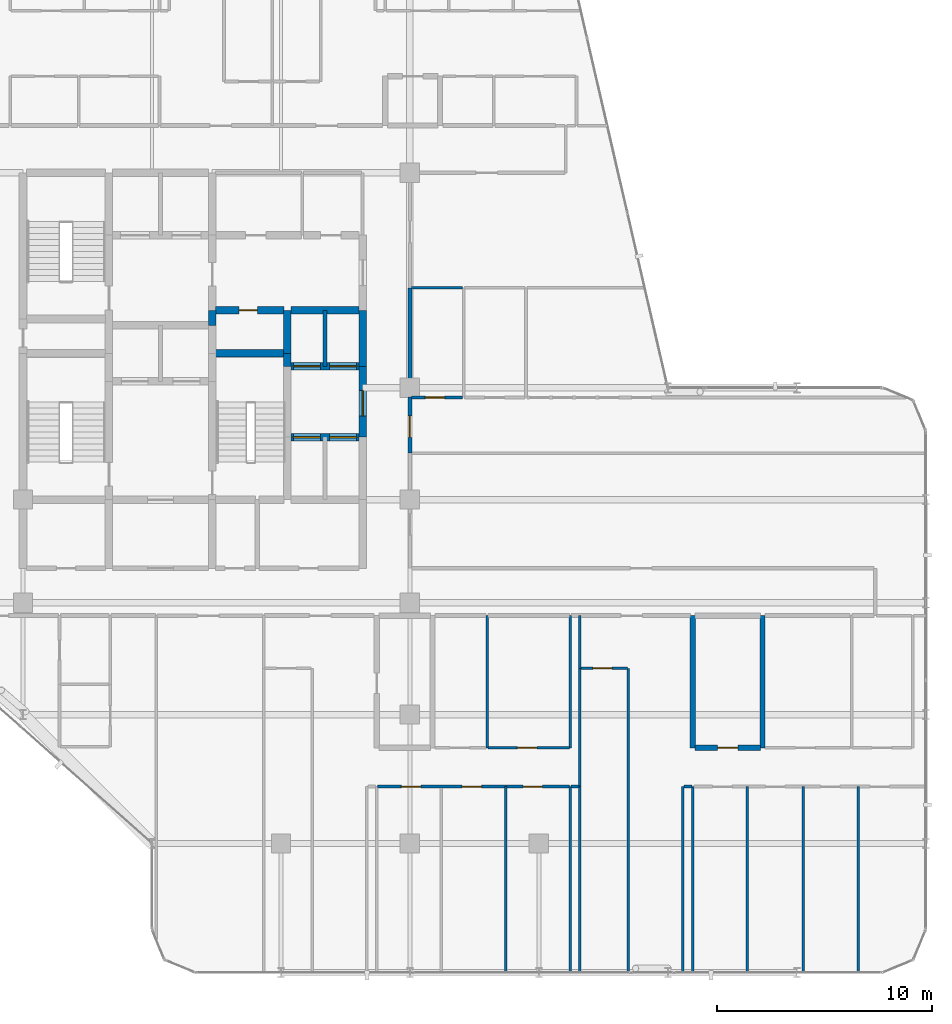
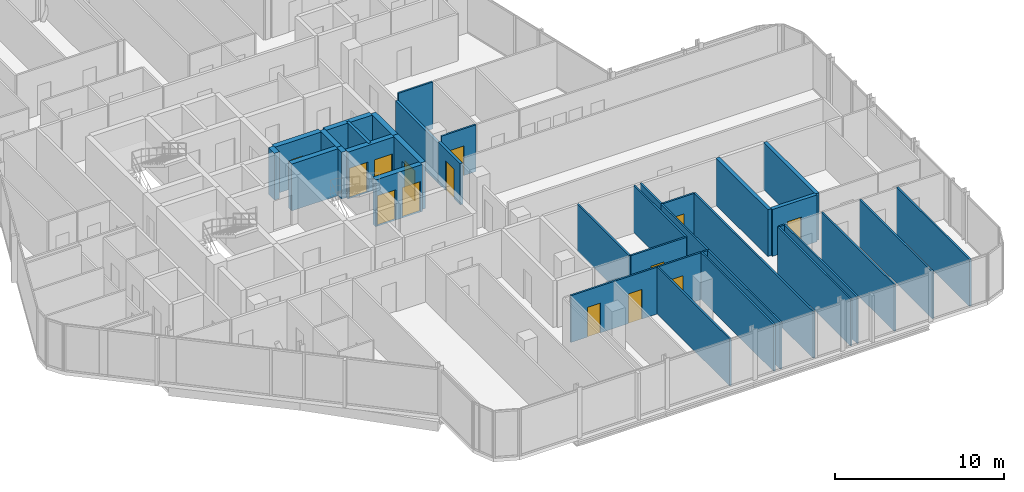
# One storey, part 25 of 29: 36 walls, 14 doors, 14 openings.
"""IFC4 building model written with IfcOpenShell, lengths in metres."""

import ifcopenshell
import ifcopenshell.guid

model = None  # the IFC model being written
_history = None  # IfcOwnerHistory: only IFC2X3 demands one
_inside = {}  # id of a spatial element -> (the spatial element, [elements in it])
_under = {}  # id of a project, library or spatial element -> (it, [spatial elements below it])
_declared = {}  # id of a project -> (the project, [libraries it declares])
_typed = {}  # id of a type object -> (the type object, [elements of that type])
_made_of = {}  # id of a material, layer set ... -> (it, [elements and type objects made of it])


def new_model(schema):
    """Start an empty IFC model of exactly this schema.

    Asked for "IFC4X3", IfcOpenShell would pick the latest addendum, in which some entities
    have other attributes; the version numbers below select the first issue.
    IFC2X3 requires an IfcOwnerHistory on every rooted entity: one is made here for all.
    """
    global model, _history
    if schema == "IFC4X3":
        model = ifcopenshell.file(schema_version=(4, 3, 0, 0))
    else:
        model = ifcopenshell.file(schema=schema)
    _inside.clear()
    _under.clear()
    _declared.clear()
    _typed.clear()
    _made_of.clear()
    _history = None
    if model.schema == "IFC2X3":
        org = make("IfcOrganization", Name="unknown")
        user = make(
            "IfcPersonAndOrganization",
            ThePerson=make("IfcPerson", FamilyName="unknown"),
            TheOrganization=org,
        )
        app = make(
            "IfcApplication",
            ApplicationDeveloper=org,
            Version="unknown",
            ApplicationFullName="unknown",
            ApplicationIdentifier="unknown",
        )
        _history = make(
            "IfcOwnerHistory",
            OwningUser=user,
            OwningApplication=app,
            ChangeAction="ADDED",
            CreationDate=0,
        )
    return model


def make(cls, **values):
    """One entity of the class cls with the attributes given. An attribute that is None is left unset."""
    return model.create_entity(
        cls, **{name: value for name, value in values.items() if value is not None}
    )


def rooted(cls, **values):
    """An entity with a GlobalId (a new one), such as an element, a storey or a relation."""
    return make(cls, GlobalId=ifcopenshell.guid.new(), OwnerHistory=_history, **values)


def si_unit(unit_type, name, prefix=None):
    """IfcSIUnit, for example si_unit("LENGTHUNIT", "METRE", prefix="MILLI")."""
    return make("IfcSIUnit", UnitType=unit_type, Prefix=prefix, Name=name)


def assignment(units):
    """IfcUnitAssignment: the units of a project."""
    return None if units is None else make("IfcUnitAssignment", Units=units)


def point(xyz):
    """IfcCartesianPoint."""
    return None if xyz is None else make("IfcCartesianPoint", Coordinates=xyz)


def direction(xyz):
    """IfcDirection."""
    return None if xyz is None else make("IfcDirection", DirectionRatios=xyz)


def frame(location, z_axis=None, x_axis=None):
    """IfcAxis2Placement3D, a coordinate frame: its origin and axes. An axis left out is left unset."""
    return make(
        "IfcAxis2Placement3D",
        Location=point(location),
        Axis=direction(z_axis),
        RefDirection=direction(x_axis),
    )


def frame_2d(location, x_axis=None):
    """IfcAxis2Placement2D, a coordinate frame in the plane: its origin and x axis."""
    return make(
        "IfcAxis2Placement2D", Location=point(location), RefDirection=direction(x_axis)
    )


def origin():
    """The frame at (0, 0, 0) with its axes left unset."""
    return frame((0.0, 0.0, 0.0))


def place(relative_to, where):
    """IfcLocalPlacement: puts the frame where relative to a parent placement (None: the world)."""
    return make(
        "IfcLocalPlacement", PlacementRelTo=relative_to, RelativePlacement=where
    )


def context(
    kind, dimensions, precision=None, world=None, true_north=None, identifier=None
):
    """IfcGeometricRepresentationContext, for example the 3D "Model" context."""
    return make(
        "IfcGeometricRepresentationContext",
        ContextIdentifier=identifier,
        ContextType=kind,
        CoordinateSpaceDimension=dimensions,
        Precision=precision,
        WorldCoordinateSystem=world,
        TrueNorth=true_north,
    )


def subcontext(parent, identifier, kind, view, scale=None):
    """IfcGeometricRepresentationSubContext, for example "Body" below "Model"."""
    return make(
        "IfcGeometricRepresentationSubContext",
        ContextIdentifier=identifier,
        ContextType=kind,
        ParentContext=parent,
        TargetScale=scale,
        TargetView=view,
    )


def project(units=None, contexts=None):
    """IfcProject with its units and contexts."""
    return rooted(
        "IfcProject",
        Name="project",
        RepresentationContexts=contexts,
        UnitsInContext=assignment(units),
    )


def spatial(cls, under=None, at=None, **own):
    """A site, building, storey or space (cls), placed at a placement, below another one or the project."""
    s = rooted(cls, ObjectPlacement=at, **own)
    if under is not None:
        _under.setdefault(under.id(), (under, []))[1].append(s)
    return s


def profile(cls, at=None, kind="AREA", **sizes):
    """A parametric profile (cls). Its sizes go by their IFC names, for example OverallWidth=200.0."""
    return make(cls, ProfileType=kind, Position=at, **sizes)


def rectangle(**sizes):
    """IfcRectangleProfileDef."""
    return profile("IfcRectangleProfileDef", **sizes)


def extrude(swept, where, along, depth):
    """IfcExtrudedAreaSolid: the profile swept, set in the frame where, extruded along a direction by depth."""
    return make(
        "IfcExtrudedAreaSolid",
        SweptArea=swept,
        Position=where,
        ExtrudedDirection=direction(along),
        Depth=depth,
    )


def shape(context_of_items, identifier, shape_type, items):
    """IfcShapeRepresentation: the items that make up one representation, for example the "Body"."""
    return make(
        "IfcShapeRepresentation",
        ContextOfItems=context_of_items,
        RepresentationIdentifier=identifier,
        RepresentationType=shape_type,
        Items=items,
    )


def material(Name=None, Category=None):
    """IfcMaterial."""
    return make("IfcMaterial", Name=Name, Category=Category)


def layer(
    of_material, thickness, ventilated=None, Name=None, Category=None, Priority=None
):
    """IfcMaterialLayer: one layer of a wall or slab, of a material (None: an air gap)."""
    return make(
        "IfcMaterialLayer",
        Material=of_material,
        LayerThickness=thickness,
        IsVentilated=ventilated,
        Name=Name,
        Category=Category,
        Priority=Priority,
    )


def layer_set(layers, Name=None):
    """IfcMaterialLayerSet."""
    return make("IfcMaterialLayerSet", MaterialLayers=layers, LayerSetName=Name)


def made_of(thing, what):
    """Note that an element or type object is made of a material, layer set ...; save() writes the relation."""
    if what is not None:
        _made_of.setdefault(what.id(), (what, []))[1].append(thing)
    return thing


def type_object(cls, material=None, **own):
    """A type object (cls), such as IfcWallType, which elements share."""
    return made_of(rooted(cls, **own), material)


def element(
    cls,
    number,
    at=None,
    inside=None,
    cuts=None,
    type_object=None,
    material=None,
    context=None,
    identifier="Body",
    shape_type=None,
    held_by="IfcProductDefinitionShape",
    body=None,
    shapes=None,
    **own,
):
    """One element of the class cls, such as IfcWall. Its Tag is "e" and its number.

    at: its placement. inside: the storey or other place that contains it. cuts: it is an
    opening in that element (IfcRelVoidsElement). A single representation is given by context,
    identifier, shape_type and body (its items); several are given by shapes. held_by: the class
    of the entity that holds the representations. save() writes the other relations.
    """
    e = rooted(cls, Tag="e%d" % number, ObjectPlacement=at, **own)
    if body is not None:
        shapes = [shape(context, identifier, shape_type, body)]
    if shapes is not None:
        e.Representation = make(held_by, Representations=shapes)
    if inside is not None:
        _inside.setdefault(inside.id(), (inside, []))[1].append(e)
    if cuts is not None:
        rooted(
            "IfcRelVoidsElement", RelatingBuildingElement=cuts, RelatedOpeningElement=e
        )
    if type_object is not None:
        _typed.setdefault(type_object.id(), (type_object, []))[1].append(e)
    return made_of(e, material)


def fill(opening, filler):
    """IfcRelFillsElement: the door or window that sits in an opening."""
    return rooted(
        "IfcRelFillsElement",
        RelatingOpeningElement=opening,
        RelatedBuildingElement=filler,
    )


def aggregate(whole, parts):
    """IfcRelAggregates: a whole, such as a stair, and the parts it consists of."""
    return rooted("IfcRelAggregates", RelatingObject=whole, RelatedObjects=parts)


def save(model, path):
    """Write the relations noted so far, then the file.

    IfcRelAggregates (storeys below a building ...), IfcRelContainedInSpatialStructure (elements
    in a storey), IfcRelDefinesByType, IfcRelAssociatesMaterial and IfcRelDeclares: one each for
    every whole, place, type object, material and project.
    """
    for whole, parts in _under.values():
        aggregate(whole, parts)
    for where, things in _inside.values():
        rooted(
            "IfcRelContainedInSpatialStructure",
            RelatedElements=things,
            RelatingStructure=where,
        )
    for kind, things in _typed.values():
        rooted("IfcRelDefinesByType", RelatedObjects=things, RelatingType=kind)
    for what, things in _made_of.values():
        rooted("IfcRelAssociatesMaterial", RelatedObjects=things, RelatingMaterial=what)
    for by, libraries in _declared.values():
        rooted("IfcRelDeclares", RelatingContext=by, RelatedDefinitions=libraries)
    model.write(path)


model = new_model("IFC4")

# Units and contexts
model_context = context("Model", 3, precision=1e-05, world=origin(), true_north=direction((0.0, 1.0)))
body_context = subcontext(model_context, "Body", "Model", "MODEL_VIEW")
ifc_project = project(units=[si_unit("LENGTHUNIT", "METRE"), si_unit("AREAUNIT", "SQUARE_METRE"), si_unit("VOLUMEUNIT", "CUBIC_METRE"), si_unit("PLANEANGLEUNIT", "RADIAN"), si_unit("MASSUNIT", "GRAM", prefix="KILO")], contexts=[model_context])

# Site, building, storey
site_placement = place(None, origin())
site = spatial("IfcSite", under=ifc_project, at=site_placement, CompositionType="ELEMENT")
building_placement = place(site_placement, origin())
building = spatial("IfcBuilding", under=site, at=building_placement, Name="Keshet Zoharim Tower", CompositionType="ELEMENT")
storey_placement = place(building_placement, frame((0.0, 0.0, 188.39990234375)))
storey = spatial("IfcBuildingStorey", under=building, at=storey_placement, Name="L46", CompositionType="ELEMENT", Elevation=188.39990234375)

# Walls
ifc_material_1 = material(Name="Concrete C60/75", Category="concrete")
ifc_layer_1 = layer(ifc_material_1, 0.35009765625)
ifc_layer_set_1 = layer_set([ifc_layer_1], Name="Concrete C60/75")
wall_type_1 = type_object("IfcWallType", Name="WL-CORE-350", PredefinedType="SHEAR", material=ifc_layer_set_1)
wall_1_placement = place(storey_placement, frame((23.800048828125, 30.800048828125, 0.0), z_axis=(0.0, 0.0, 1.0), x_axis=(0.0, 1.0, 0.0)))
element("IfcWall", 1, at=wall_1_placement, inside=storey, type_object=wall_type_1, Name="L46 Core Shear Wall 041", PredefinedType="SHEAR", context=body_context, shape_type="SweptSolid", body=[
    extrude(rectangle(XDim=0.699951171875, YDim=0.35009765625, at=frame_2d((0.35009765625, 0.0))), origin(), (0.0, 0.0, 1.0), 3.39013671875),
])
wall_2_placement = place(storey_placement, frame((27.300048828125, 28.89990234375, 0.0), z_axis=(0.0, 0.0, 1.0), x_axis=(0.0, 1.0, 0.0)))
element("IfcWall", 2, at=wall_2_placement, inside=storey, type_object=wall_type_1, Name="L46 Core Shear Wall 052", PredefinedType="SHEAR", context=body_context, shape_type="SweptSolid", body=[
    extrude(rectangle(XDim=0.60009765625, YDim=0.35009765625, at=frame_2d((0.300048828125, 0.0))), origin(), (0.0, 0.0, 1.0), 3.39013671875),
])
wall_3_placement = place(storey_placement, frame((27.300048828125, 29.5, 0.0), z_axis=(0.0, 0.0, 1.0), x_axis=(0.0, 1.0, 0.0)))
element("IfcWall", 3, at=wall_3_placement, inside=storey, type_object=wall_type_1, Name="L46 Core Shear Wall 053", PredefinedType="SHEAR", context=body_context, shape_type="SweptSolid", body=[
    extrude(rectangle(XDim=2.0, YDim=0.35009765625, at=frame_2d((1.0, 0.0))), origin(), (0.0, 0.0, 1.0), 3.39013671875),
])

# Wall, opening, door
wall_4_placement = place(storey_placement, frame((30.800048828125, 25.60009765625, 0.0), z_axis=(0.0, 0.0, 1.0), x_axis=(0.0, 1.0, 0.0)))
wall_4 = element("IfcWall", 4, at=wall_4_placement, inside=storey, type_object=wall_type_1, Name="L46 Core Shear Wall 061", PredefinedType="SHEAR", context=body_context, shape_type="SweptSolid", body=[
    extrude(rectangle(XDim=3.2998046875, YDim=0.35009765625, at=frame_2d((1.64990234375, 0.0))), origin(), (0.0, 0.0, 1.0), 3.39013671875),
])
opening_1_placement = place(wall_4_placement, frame((0.97802734375, 0.0, 0.0)))
opening_1 = element("IfcOpeningElement", 5, at=opening_1_placement, cuts=wall_4, Name="Opening D-F612", PredefinedType="OPENING", context=body_context, shape_type="SweptSolid", body=[
    extrude(rectangle(XDim=1.199951171875, YDim=2.199951171875, at=frame_2d((0.60009765625, 1.10009765625))), frame((0.0, 0.18505859375, 0.0), z_axis=(0.0, -1.0, 0.0), x_axis=(1.0, 0.0, 0.0)), (0.0, 0.0, 1.0), 0.3701171875),
])
ifc_material_2 = material(Name="Hardwood Timber", Category="wood")
door_type_1 = type_object("IfcDoorType", Name="DR-FD60-120", OperationType="NOTDEFINED", PredefinedType="DOOR", material=ifc_material_2)
door_1_placement = place(opening_1_placement, origin())
door_1 = element("IfcDoor", 6, at=door_1_placement, inside=storey, type_object=door_type_1, Name="L46 East Lift Lobby Fire Door", OperationType="SINGLE_SWING_RIGHT", OverallHeight=2.199951171875, OverallWidth=1.199951171875, PredefinedType="DOOR", context=body_context, shape_type="SweptSolid", body=[
    extrude(rectangle(XDim=1.199951171875, YDim=2.199951171875, at=frame_2d((0.60009765625, 1.10009765625))), frame((0.0, 0.02490234375, 0.0), z_axis=(0.0, -1.0, 0.0), x_axis=(1.0, 0.0, 0.0)), (0.0, 0.0, 1.0), 0.050048828125),
])
fill(opening_1, door_1)

# Wall
wall_5_placement = place(storey_placement, frame((30.800048828125, 28.89990234375, 0.0), z_axis=(0.0, 0.0, 1.0), x_axis=(0.0, 1.0, 0.0)))
element("IfcWall", 7, at=wall_5_placement, inside=storey, type_object=wall_type_1, Name="L46 Core Shear Wall 062", PredefinedType="SHEAR", context=body_context, shape_type="SweptSolid", body=[
    extrude(rectangle(XDim=2.60009765625, YDim=0.35009765625, at=frame_2d((1.300048828125, 0.0))), origin(), (0.0, 0.0, 1.0), 3.39013671875),
])

# Wall, openings, doors
wall_6_placement = place(storey_placement, frame((27.4599609375, 25.60009765625, 0.0), z_axis=(0.0, 0.0, 1.0), x_axis=(1.0, 0.0, 0.0)))
wall_6 = element("IfcWall", 8, at=wall_6_placement, inside=storey, type_object=wall_type_1, Name="L46 Core Shear Wall 149", PredefinedType="SHEAR", context=body_context, shape_type="SweptSolid", body=[
    extrude(rectangle(XDim=3.179931640625, YDim=0.35009765625, at=frame_2d((1.58984375, 0.0))), origin(), (0.0, 0.0, 1.0), 3.39013671875),
])
opening_2_placement = place(wall_6_placement, frame((0.1201171875, 0.0, 0.0)))
opening_2 = element("IfcOpeningElement", 9, at=opening_2_placement, cuts=wall_6, Name="Opening LD-01", PredefinedType="OPENING", context=body_context, shape_type="SweptSolid", body=[
    extrude(rectangle(XDim=1.25, YDim=2.199951171875, at=frame_2d((0.625, 1.10009765625))), frame((0.0, 0.18505859375, 0.0), z_axis=(0.0, -1.0, 0.0), x_axis=(1.0, 0.0, 0.0)), (0.0, 0.0, 1.0), 0.3701171875),
])
opening_3_placement = place(wall_6_placement, frame((1.81005859375, 0.0, 0.0)))
opening_3 = element("IfcOpeningElement", 10, at=opening_3_placement, cuts=wall_6, Name="Opening LD-01", PredefinedType="OPENING", context=body_context, shape_type="SweptSolid", body=[
    extrude(rectangle(XDim=1.25, YDim=2.199951171875, at=frame_2d((0.625, 1.10009765625))), frame((0.0, 0.18505859375, 0.0), z_axis=(0.0, -1.0, 0.0), x_axis=(1.0, 0.0, 0.0)), (0.0, 0.0, 1.0), 0.3701171875),
])
ifc_material_3 = material(Name="Steel S355", Category="steel")
door_type_2 = type_object("IfcDoorType", Name="DR-LD01-125", OperationType="DOUBLE_DOOR_SLIDING", PredefinedType="DOOR", material=ifc_material_3)
door_2_placement = place(opening_2_placement, origin())
door_2 = element("IfcDoor", 11, at=door_2_placement, inside=storey, type_object=door_type_2, Name="L46 Passenger Lift Landing Door LF-07", OperationType="DOUBLE_DOOR_SLIDING", OverallHeight=2.199951171875, OverallWidth=1.25, PredefinedType="DOOR", context=body_context, shape_type="SweptSolid", body=[
    extrude(rectangle(XDim=1.25, YDim=2.199951171875, at=frame_2d((0.625, 1.10009765625))), frame((0.0, 0.02490234375, 0.0), z_axis=(0.0, -1.0, 0.0), x_axis=(1.0, 0.0, 0.0)), (0.0, 0.0, 1.0), 0.050048828125),
])
fill(opening_2, door_2)
door_3_placement = place(opening_3_placement, origin())
door_3 = element("IfcDoor", 12, at=door_3_placement, inside=storey, type_object=door_type_2, Name="L46 Passenger Lift Landing Door LF-08", OperationType="DOUBLE_DOOR_SLIDING", OverallHeight=2.199951171875, OverallWidth=1.25, PredefinedType="DOOR", context=body_context, shape_type="SweptSolid", body=[
    extrude(rectangle(XDim=1.25, YDim=2.199951171875, at=frame_2d((0.625, 1.10009765625))), frame((0.0, 0.02490234375, 0.0), z_axis=(0.0, -1.0, 0.0), x_axis=(1.0, 0.0, 0.0)), (0.0, 0.0, 1.0), 0.050048828125),
])
fill(opening_3, door_3)

wall_7_placement = place(storey_placement, frame((27.4599609375, 28.89990234375, 0.0), z_axis=(0.0, 0.0, 1.0), x_axis=(1.0, 0.0, 0.0)))
wall_7 = element("IfcWall", 13, at=wall_7_placement, inside=storey, type_object=wall_type_1, Name="L46 Core Shear Wall 160", PredefinedType="SHEAR", context=body_context, shape_type="SweptSolid", body=[
    extrude(rectangle(XDim=3.179931640625, YDim=0.35009765625, at=frame_2d((1.58984375, 0.0))), origin(), (0.0, 0.0, 1.0), 3.39013671875),
])
opening_4_placement = place(wall_7_placement, frame((0.1201171875, 0.0, 0.0)))
opening_4 = element("IfcOpeningElement", 14, at=opening_4_placement, cuts=wall_7, Name="Opening LD-01", PredefinedType="OPENING", context=body_context, shape_type="SweptSolid", body=[
    extrude(rectangle(XDim=1.25, YDim=2.199951171875, at=frame_2d((0.625, 1.10009765625))), frame((0.0, 0.18505859375, 0.0), z_axis=(0.0, -1.0, 0.0), x_axis=(1.0, 0.0, 0.0)), (0.0, 0.0, 1.0), 0.3701171875),
])
opening_5_placement = place(wall_7_placement, frame((1.81005859375, 0.0, 0.0)))
opening_5 = element("IfcOpeningElement", 15, at=opening_5_placement, cuts=wall_7, Name="Opening LD-01", PredefinedType="OPENING", context=body_context, shape_type="SweptSolid", body=[
    extrude(rectangle(XDim=1.25, YDim=2.199951171875, at=frame_2d((0.625, 1.10009765625))), frame((0.0, 0.18505859375, 0.0), z_axis=(0.0, -1.0, 0.0), x_axis=(1.0, 0.0, 0.0)), (0.0, 0.0, 1.0), 0.3701171875),
])
door_4_placement = place(opening_4_placement, origin())
door_4 = element("IfcDoor", 16, at=door_4_placement, inside=storey, type_object=door_type_2, Name="L46 Passenger Lift Landing Door LF-05", OperationType="DOUBLE_DOOR_SLIDING", OverallHeight=2.199951171875, OverallWidth=1.25, PredefinedType="DOOR", context=body_context, shape_type="SweptSolid", body=[
    extrude(rectangle(XDim=1.25, YDim=2.199951171875, at=frame_2d((0.625, 1.10009765625))), frame((0.0, 0.02490234375, 0.0), z_axis=(0.0, -1.0, 0.0), x_axis=(1.0, 0.0, 0.0)), (0.0, 0.0, 1.0), 0.050048828125),
])
fill(opening_4, door_4)
door_5_placement = place(opening_5_placement, origin())
door_5 = element("IfcDoor", 17, at=door_5_placement, inside=storey, type_object=door_type_2, Name="L46 Passenger Lift Landing Door LF-06", OperationType="DOUBLE_DOOR_SLIDING", OverallHeight=2.199951171875, OverallWidth=1.25, PredefinedType="DOOR", context=body_context, shape_type="SweptSolid", body=[
    extrude(rectangle(XDim=1.25, YDim=2.199951171875, at=frame_2d((0.625, 1.10009765625))), frame((0.0, 0.02490234375, 0.0), z_axis=(0.0, -1.0, 0.0), x_axis=(1.0, 0.0, 0.0)), (0.0, 0.0, 1.0), 0.050048828125),
])
fill(opening_5, door_5)

# Wall
wall_8_placement = place(storey_placement, frame((23.9599609375, 29.5, 0.0), z_axis=(0.0, 0.0, 1.0), x_axis=(1.0, 0.0, 0.0)))
element("IfcWall", 18, at=wall_8_placement, inside=storey, type_object=wall_type_1, Name="L46 Core Shear Wall 162", PredefinedType="SHEAR", context=body_context, shape_type="SweptSolid", body=[
    extrude(rectangle(XDim=3.179931640625, YDim=0.35009765625, at=frame_2d((1.58984375, 0.0))), origin(), (0.0, 0.0, 1.0), 3.39013671875),
])

# Wall, opening, door
wall_9_placement = place(storey_placement, frame((23.9599609375, 31.5, 0.0), z_axis=(0.0, 0.0, 1.0), x_axis=(1.0, 0.0, 0.0)))
wall_9 = element("IfcWall", 19, at=wall_9_placement, inside=storey, type_object=wall_type_1, Name="L46 Core Shear Wall 167", PredefinedType="SHEAR", context=body_context, shape_type="SweptSolid", body=[
    extrude(rectangle(XDim=3.179931640625, YDim=0.35009765625, at=frame_2d((1.58984375, 0.0))), origin(), (0.0, 0.0, 1.0), 3.39013671875),
])
opening_6_placement = place(wall_9_placement, frame((1.093994140625, 0.0, 0.0)))
opening_6 = element("IfcOpeningElement", 20, at=opening_6_placement, cuts=wall_9, Name="Opening D-RS85", PredefinedType="OPENING", context=body_context, shape_type="SweptSolid", body=[
    extrude(rectangle(XDim=0.85009765625, YDim=2.10009765625, at=frame_2d((0.425048828125, 1.050048828125))), frame((0.0, 0.18505859375, 0.0), z_axis=(0.0, -1.0, 0.0), x_axis=(1.0, 0.0, 0.0)), (0.0, 0.0, 1.0), 0.3701171875),
])
door_type_3 = type_object("IfcDoorType", Name="DR-RIS-085", OperationType="NOTDEFINED", PredefinedType="DOOR", material=ifc_material_2)
door_6_placement = place(opening_6_placement, origin())
door_6 = element("IfcDoor", 21, at=door_6_placement, inside=storey, type_object=door_type_3, Name="L46 Telecom Riser Access Cupboard Door", OperationType="SINGLE_SWING_LEFT", OverallHeight=2.10009765625, OverallWidth=0.85009765625, PredefinedType="DOOR", context=body_context, shape_type="SweptSolid", body=[
    extrude(rectangle(XDim=0.85009765625, YDim=2.10009765625, at=frame_2d((0.425048828125, 1.050048828125))), frame((0.0, 0.02490234375, 0.0), z_axis=(0.0, -1.0, 0.0), x_axis=(1.0, 0.0, 0.0)), (0.0, 0.0, 1.0), 0.050048828125),
])
fill(opening_6, door_6)

# Wall
wall_10_placement = place(storey_placement, frame((27.4599609375, 31.5, 0.0), z_axis=(0.0, 0.0, 1.0), x_axis=(1.0, 0.0, 0.0)))
element("IfcWall", 22, at=wall_10_placement, inside=storey, type_object=wall_type_1, Name="L46 Core Shear Wall 168", PredefinedType="SHEAR", context=body_context, shape_type="SweptSolid", body=[
    extrude(rectangle(XDim=3.179931640625, YDim=0.35009765625, at=frame_2d((1.58984375, 0.0))), origin(), (0.0, 0.0, 1.0), 3.39013671875),
])

# Wall, opening, door
ifc_material_4 = material(Name="Gypsum Plasterboard", Category="gypsum")
ifc_layer_2 = layer(ifc_material_4, 0.179931640625)
ifc_layer_set_2 = layer_set([ifc_layer_2], Name="Gypsum Plasterboard")
wall_type_2 = type_object("IfcWallType", Name="WL-CORR-180", PredefinedType="STANDARD", material=ifc_layer_set_2)
wall_11_placement = place(storey_placement, frame((33.0, 24.8701171875, 0.0), z_axis=(0.0, 0.0, 1.0), x_axis=(0.0, 1.0, 0.0)))
wall_11 = element("IfcWall", 23, at=wall_11_placement, inside=storey, type_object=wall_type_2, Name="L46 Interior Wall 072", PredefinedType="STANDARD", context=body_context, shape_type="SweptSolid", body=[
    extrude(rectangle(XDim=2.599853515625, YDim=0.179931640625, at=frame_2d((1.2998046875, 0.0))), origin(), (0.0, 0.0, 1.0), 2.989990234375),
])
opening_7_placement = place(wall_11_placement, frame((0.722900390625, 0.0, 0.0)))
opening_7 = element("IfcOpeningElement", 24, at=opening_7_placement, cuts=wall_11, Name="Opening D-F310", PredefinedType="OPENING", context=body_context, shape_type="SweptSolid", body=[
    extrude(rectangle(XDim=1.0, YDim=2.14990234375, at=frame_2d((0.5, 1.074951171875))), frame((0.0, 0.10009765625, 0.0), z_axis=(0.0, -1.0, 0.0), x_axis=(1.0, 0.0, 0.0)), (0.0, 0.0, 1.0), 0.199951171875),
])
door_type_4 = type_object("IfcDoorType", Name="DR-FD30-100", OperationType="NOTDEFINED", PredefinedType="DOOR", material=ifc_material_2)
door_7_placement = place(opening_7_placement, origin())
door_7 = element("IfcDoor", 25, at=door_7_placement, inside=storey, type_object=door_type_4, Name="Apartment 4608 Entrance Door", OperationType="SINGLE_SWING_RIGHT", OverallHeight=2.14990234375, OverallWidth=1.0, PredefinedType="DOOR", context=body_context, shape_type="SweptSolid", body=[
    extrude(rectangle(XDim=1.0, YDim=2.14990234375, at=frame_2d((0.5, 1.074951171875))), frame((0.0, 0.02490234375, 0.0), z_axis=(0.0, -1.0, 0.0), x_axis=(1.0, 0.0, 0.0)), (0.0, 0.0, 1.0), 0.050048828125),
])
fill(opening_7, door_7)

# Walls
wall_12_placement = place(storey_placement, frame((33.0, 27.469970703125, 0.0), z_axis=(0.0, 0.0, 1.0), x_axis=(0.0, 1.0, 0.0)))
element("IfcWall", 26, at=wall_12_placement, inside=storey, type_object=wall_type_2, Name="L46 Interior Wall 073", PredefinedType="STANDARD", context=body_context, shape_type="SweptSolid", body=[
    extrude(rectangle(XDim=5.070068359375, YDim=0.179931640625, at=frame_2d((2.53515625, 0.0))), origin(), (0.0, 0.0, 1.0), 2.89013671875),
])
ifc_material_5 = material(Name="Concrete C50/60", Category="concrete")
ifc_layer_3 = layer(ifc_material_5, 0.199951171875)
ifc_layer_set_3 = layer_set([ifc_layer_3], Name="Concrete C50/60")
wall_type_3 = type_object("IfcWallType", Name="WL-FIRE-200", PredefinedType="STANDARD", material=ifc_layer_set_3)
wall_13_placement = place(storey_placement, frame((29.050048828125, 28.89990234375, 0.0), z_axis=(0.0, 0.0, 1.0), x_axis=(0.0, 1.0, 0.0)))
element("IfcWall", 27, at=wall_13_placement, inside=storey, type_object=wall_type_3, Name="L46 Interior Wall 058", PredefinedType="STANDARD", context=body_context, shape_type="SweptSolid", body=[
    extrude(rectangle(XDim=2.60009765625, YDim=0.199951171875, at=frame_2d((1.300048828125, 0.0))), origin(), (0.0, 0.0, 1.0), 3.39013671875),
])
ifc_layer_4 = layer(ifc_material_5, 0.25)
ifc_layer_set_4 = layer_set([ifc_layer_4], Name="Concrete C50/60")
wall_type_4 = type_object("IfcWallType", Name="WL-MAMAD-250", PredefinedType="STANDARD", material=ifc_layer_set_4)
for number, where, z_axis, x_axis, name in (
    (28, (46.14990234375, 11.14990234375, 0.0), (0.0, 0.0, 1.0), (0.0, 1.0, 0.0), "L46 Interior Wall 095"),
    (29, (49.39990234375, 11.14990234375, 0.0), (0.0, 0.0, 1.0), (0.0, 1.0, 0.0), "L46 Interior Wall 097"),
):
    element("IfcWall", number, at=place(storey_placement, frame(where, z_axis=z_axis, x_axis=x_axis)), inside=storey, type_object=wall_type_4, Name=name, PredefinedType="STANDARD", context=body_context, shape_type="SweptSolid", body=[
        extrude(rectangle(XDim=6.150146484375, YDim=0.25, at=frame_2d((3.0751953125, 0.0))), origin(), (0.0, 0.0, 1.0), 3.39013671875),
    ])

# Wall, opening, door
wall_14_placement = place(storey_placement, frame((46.27001953125, 11.14990234375, 0.0), z_axis=(0.0, 0.0, 1.0), x_axis=(1.0, 0.0, 0.0)))
wall_14 = element("IfcWall", 30, at=wall_14_placement, inside=storey, type_object=wall_type_4, Name="L46 Interior Wall 111", PredefinedType="STANDARD", context=body_context, shape_type="SweptSolid", body=[
    extrude(rectangle(XDim=3.032958984375, YDim=0.25, at=frame_2d((1.5166015625, 0.0))), origin(), (0.0, 0.0, 1.0), 3.39013671875),
])
opening_8_placement = place(wall_14_placement, frame((1.041015625, 0.0, 0.0)))
opening_8 = element("IfcOpeningElement", 31, at=opening_8_placement, cuts=wall_14, Name="Opening D-F695", PredefinedType="OPENING", context=body_context, shape_type="SweptSolid", body=[
    extrude(rectangle(XDim=0.949951171875, YDim=2.14990234375, at=frame_2d((0.47509765625, 1.074951171875))), frame((0.0, 0.135009765625, 0.0), z_axis=(0.0, -1.0, 0.0), x_axis=(1.0, 0.0, 0.0)), (0.0, 0.0, 1.0), 0.27001953125),
])
door_type_5 = type_object("IfcDoorType", Name="DR-FD60-095", OperationType="NOTDEFINED", PredefinedType="DOOR", material=ifc_material_2)
door_8_placement = place(opening_8_placement, origin())
door_8 = element("IfcDoor", 32, at=door_8_placement, inside=storey, type_object=door_type_5, Name="Apartment 4603 Study and Shelter Room Door", OperationType="SINGLE_SWING_LEFT", OverallHeight=2.14990234375, OverallWidth=0.949951171875, PredefinedType="DOOR", context=body_context, shape_type="SweptSolid", body=[
    extrude(rectangle(XDim=0.949951171875, YDim=2.14990234375, at=frame_2d((0.47509765625, 1.074951171875))), frame((0.0, 0.02490234375, 0.0), z_axis=(0.0, -1.0, 0.0), x_axis=(1.0, 0.0, 0.0)), (0.0, 0.0, 1.0), 0.050048828125),
])
fill(opening_8, door_8)

# Walls
ifc_layer_5 = layer(ifc_material_4, 0.1201171875)
ifc_layer_set_5 = layer_set([ifc_layer_5], Name="Gypsum Plasterboard")
wall_type_5 = type_object("IfcWallType", Name="WL-PART-120", PredefinedType="PARTITIONING", material=ifc_layer_set_5)
for number, where, z_axis, x_axis, name in (
    (33, (37.449951171875, 0.7099609375, 0.0), (0.0, 0.0, 1.0), (0.0, 1.0, 0.0), "L46 Interior Wall 082"),
    (34, (40.449951171875, 0.7099609375, 0.0), (0.0, 0.0, 1.0), (0.0, 1.0, 0.0), "L46 Interior Wall 086"),
):
    element("IfcWall", number, at=place(storey_placement, frame(where, z_axis=z_axis, x_axis=x_axis)), inside=storey, type_object=wall_type_5, Name=name, PredefinedType="PARTITIONING", context=body_context, shape_type="SweptSolid", body=[
        extrude(rectangle(XDim=8.64013671875, YDim=0.1201171875, at=frame_2d((4.320068359375, 0.0))), origin(), (0.0, 0.0, 1.0), 3.39013671875),
    ])
wall_15_placement = place(storey_placement, frame((40.449951171875, 11.14990234375, 0.0), z_axis=(0.0, 0.0, 1.0), x_axis=(0.0, 1.0, 0.0)))
element("IfcWall", 35, at=wall_15_placement, inside=storey, type_object=wall_type_5, Name="L46 Interior Wall 087", PredefinedType="PARTITIONING", context=body_context, shape_type="SweptSolid", body=[
    extrude(rectangle(XDim=6.150146484375, YDim=0.1201171875, at=frame_2d((3.0751953125, 0.0))), origin(), (0.0, 0.0, 1.0), 3.39013671875),
])
wall_16_placement = place(storey_placement, frame((40.89990234375, 0.7099609375, 0.0), z_axis=(0.0, 0.0, 1.0), x_axis=(0.0, 1.0, 0.0)))
element("IfcWall", 36, at=wall_16_placement, inside=storey, type_object=wall_type_5, Name="L46 Interior Wall 089", PredefinedType="PARTITIONING", context=body_context, shape_type="SweptSolid", body=[
    extrude(rectangle(XDim=8.64013671875, YDim=0.1201171875, at=frame_2d((4.320068359375, 0.0))), origin(), (0.0, 0.0, 1.0), 3.39013671875),
])
wall_17_placement = place(storey_placement, frame((40.89990234375, 9.35009765625, 0.0), z_axis=(0.0, 0.0, 1.0), x_axis=(0.0, 1.0, 0.0)))
element("IfcWall", 37, at=wall_17_placement, inside=storey, type_object=wall_type_5, Name="L46 Interior Wall 090", PredefinedType="PARTITIONING", context=body_context, shape_type="SweptSolid", body=[
    extrude(rectangle(XDim=5.5, YDim=0.1201171875, at=frame_2d((2.75, 0.0))), origin(), (0.0, 0.0, 1.0), 3.39013671875),
])
wall_18_placement = place(storey_placement, frame((40.89990234375, 14.85009765625, 0.0), z_axis=(0.0, 0.0, 1.0), x_axis=(0.0, 1.0, 0.0)))
element("IfcWall", 38, at=wall_18_placement, inside=storey, type_object=wall_type_5, Name="L46 Interior Wall 091", PredefinedType="PARTITIONING", context=body_context, shape_type="SweptSolid", body=[
    extrude(rectangle(XDim=2.449951171875, YDim=0.1201171875, at=frame_2d((1.22509765625, 0.0))), origin(), (0.0, 0.0, 1.0), 3.39013671875),
])
wall_19_placement = place(storey_placement, frame((43.14990234375, 0.7099609375, 0.0), z_axis=(0.0, 0.0, 1.0), x_axis=(0.0, 1.0, 0.0)))
element("IfcWall", 39, at=wall_19_placement, inside=storey, type_object=wall_type_5, Name="L46 Interior Wall 092", PredefinedType="PARTITIONING", context=body_context, shape_type="SweptSolid", body=[
    extrude(rectangle(XDim=14.14013671875, YDim=0.1201171875, at=frame_2d((7.070068359375, 0.0))), origin(), (0.0, 0.0, 1.0), 3.39013671875),
])
for number, where, z_axis, x_axis, name in (
    (40, (45.699951171875, 0.7099609375, 0.0), (0.0, 0.0, 1.0), (0.0, 1.0, 0.0), "L46 Interior Wall 093"),
    (41, (46.14990234375, 0.7099609375, 0.0), (0.0, 0.0, 1.0), (0.0, 1.0, 0.0), "L46 Interior Wall 094"),
    (42, (48.699951171875, 0.7099609375, 0.0), (0.0, 0.0, 1.0), (0.0, 1.0, 0.0), "L46 Interior Wall 096"),
    (43, (51.300048828125, 0.7099609375, 0.0), (0.0, 0.0, 1.0), (0.0, 1.0, 0.0), "L46 Interior Wall 098"),
    (44, (53.85009765625, 0.7099609375, 0.0), (0.0, 0.0, 1.0), (0.0, 1.0, 0.0), "L46 Interior Wall 100"),
):
    element("IfcWall", number, at=place(storey_placement, frame(where, z_axis=z_axis, x_axis=x_axis)), inside=storey, type_object=wall_type_5, Name=name, PredefinedType="PARTITIONING", context=body_context, shape_type="SweptSolid", body=[
        extrude(rectangle(XDim=8.64013671875, YDim=0.1201171875, at=frame_2d((4.320068359375, 0.0))), origin(), (0.0, 0.0, 1.0), 3.39013671875),
    ])

# Wall, openings, doors
wall_20_placement = place(storey_placement, frame((31.4951171875, 9.35009765625, 0.0), z_axis=(0.0, 0.0, 1.0), x_axis=(1.0, 0.0, 0.0)))
wall_20 = element("IfcWall", 45, at=wall_20_placement, inside=storey, type_object=wall_type_5, Name="L46 Interior Wall 104", PredefinedType="PARTITIONING", context=body_context, shape_type="SweptSolid", body=[
    extrude(rectangle(XDim=8.919921875, YDim=0.1201171875, at=frame_2d((4.4599609375, 0.0))), origin(), (0.0, 0.0, 1.0), 3.39013671875),
])
opening_9_placement = place(wall_20_placement, frame((1.111083984375, 0.0, 0.0)))
opening_9 = element("IfcOpeningElement", 46, at=opening_9_placement, cuts=wall_20, Name="Opening D-IN90", PredefinedType="OPENING", context=body_context, shape_type="SweptSolid", body=[
    extrude(rectangle(XDim=0.89990234375, YDim=2.14990234375, at=frame_2d((0.449951171875, 1.074951171875))), frame((0.0, 0.070068359375, 0.0), z_axis=(0.0, -1.0, 0.0), x_axis=(1.0, 0.0, 0.0)), (0.0, 0.0, 1.0), 0.14013671875),
])
opening_10_placement = place(wall_20_placement, frame((3.93701171875, 0.0, 0.0)))
opening_10 = element("IfcOpeningElement", 47, at=opening_10_placement, cuts=wall_20, Name="Opening D-IN90", PredefinedType="OPENING", context=body_context, shape_type="SweptSolid", body=[
    extrude(rectangle(XDim=0.89990234375, YDim=2.14990234375, at=frame_2d((0.449951171875, 1.074951171875))), frame((0.0, 0.070068359375, 0.0), z_axis=(0.0, -1.0, 0.0), x_axis=(1.0, 0.0, 0.0)), (0.0, 0.0, 1.0), 0.14013671875),
])
opening_11_placement = place(wall_20_placement, frame((6.76806640625, 0.0, 0.0)))
opening_11 = element("IfcOpeningElement", 48, at=opening_11_placement, cuts=wall_20, Name="Opening D-IN90", PredefinedType="OPENING", context=body_context, shape_type="SweptSolid", body=[
    extrude(rectangle(XDim=0.89990234375, YDim=2.14990234375, at=frame_2d((0.449951171875, 1.074951171875))), frame((0.0, 0.070068359375, 0.0), z_axis=(0.0, -1.0, 0.0), x_axis=(1.0, 0.0, 0.0)), (0.0, 0.0, 1.0), 0.14013671875),
])
door_type_6 = type_object("IfcDoorType", Name="DR-INT-090", OperationType="NOTDEFINED", PredefinedType="DOOR", material=ifc_material_2)
door_9_placement = place(opening_9_placement, origin())
door_9 = element("IfcDoor", 49, at=door_9_placement, inside=storey, type_object=door_type_6, Name="Apartment 4602 Bedroom 1 Door", OperationType="SINGLE_SWING_RIGHT", OverallHeight=2.14990234375, OverallWidth=0.89990234375, PredefinedType="DOOR", context=body_context, shape_type="SweptSolid", body=[
    extrude(rectangle(XDim=0.89990234375, YDim=2.14990234375, at=frame_2d((0.449951171875, 1.074951171875))), frame((0.0, 0.02490234375, 0.0), z_axis=(0.0, -1.0, 0.0), x_axis=(1.0, 0.0, 0.0)), (0.0, 0.0, 1.0), 0.050048828125),
])
fill(opening_9, door_9)
door_10_placement = place(opening_10_placement, origin())
door_10 = element("IfcDoor", 50, at=door_10_placement, inside=storey, type_object=door_type_6, Name="Apartment 4602 Bedroom 2 Door", OperationType="SINGLE_SWING_LEFT", OverallHeight=2.14990234375, OverallWidth=0.89990234375, PredefinedType="DOOR", context=body_context, shape_type="SweptSolid", body=[
    extrude(rectangle(XDim=0.89990234375, YDim=2.14990234375, at=frame_2d((0.449951171875, 1.074951171875))), frame((0.0, 0.02490234375, 0.0), z_axis=(0.0, -1.0, 0.0), x_axis=(1.0, 0.0, 0.0)), (0.0, 0.0, 1.0), 0.050048828125),
])
fill(opening_10, door_10)
door_11_placement = place(opening_11_placement, origin())
door_11 = element("IfcDoor", 51, at=door_11_placement, inside=storey, type_object=door_type_6, Name="Apartment 4602 Bedroom 3 Door", OperationType="SINGLE_SWING_RIGHT", OverallHeight=2.14990234375, OverallWidth=0.89990234375, PredefinedType="DOOR", context=body_context, shape_type="SweptSolid", body=[
    extrude(rectangle(XDim=0.89990234375, YDim=2.14990234375, at=frame_2d((0.449951171875, 1.074951171875))), frame((0.0, 0.02490234375, 0.0), z_axis=(0.0, -1.0, 0.0), x_axis=(1.0, 0.0, 0.0)), (0.0, 0.0, 1.0), 0.050048828125),
])
fill(opening_11, door_11)

# Walls
for number, where, z_axis, x_axis, name in (
    (52, (40.5048828125, 9.35009765625, 0.0), (0.0, 0.0, 1.0), (1.0, 0.0, 0.0), "L46 Interior Wall 105"),
    (53, (45.7548828125, 9.35009765625, 0.0), (0.0, 0.0, 1.0), (1.0, 0.0, 0.0), "L46 Interior Wall 106"),
):
    element("IfcWall", number, at=place(storey_placement, frame(where, z_axis=z_axis, x_axis=x_axis)), inside=storey, type_object=wall_type_5, Name=name, PredefinedType="PARTITIONING", context=body_context, shape_type="SweptSolid", body=[
        extrude(rectangle(XDim=0.360107421875, YDim=0.1201171875, at=frame_2d((0.18017578125, 0.0))), origin(), (0.0, 0.0, 1.0), 3.39013671875),
    ])

# Wall, opening, door
wall_21_placement = place(storey_placement, frame((36.631103515625, 11.14990234375, 0.0), z_axis=(0.0, 0.0, 1.0), x_axis=(1.0, 0.0, 0.0)))
wall_21 = element("IfcWall", 54, at=wall_21_placement, inside=storey, type_object=wall_type_5, Name="L46 Interior Wall 110", PredefinedType="PARTITIONING", context=body_context, shape_type="SweptSolid", body=[
    extrude(rectangle(XDim=3.783935546875, YDim=0.1201171875, at=frame_2d((1.89208984375, 0.0))), origin(), (0.0, 0.0, 1.0), 3.39013671875),
])
opening_12_placement = place(wall_21_placement, frame((1.3701171875, 0.0, 0.0)))
opening_12 = element("IfcOpeningElement", 55, at=opening_12_placement, cuts=wall_21, Name="Opening D-IN90", PredefinedType="OPENING", context=body_context, shape_type="SweptSolid", body=[
    extrude(rectangle(XDim=0.89990234375, YDim=2.14990234375, at=frame_2d((0.449951171875, 1.074951171875))), frame((0.0, 0.070068359375, 0.0), z_axis=(0.0, -1.0, 0.0), x_axis=(1.0, 0.0, 0.0)), (0.0, 0.0, 1.0), 0.14013671875),
])
door_12_placement = place(opening_12_placement, origin())
door_12 = element("IfcDoor", 56, at=door_12_placement, inside=storey, type_object=door_type_6, Name="Apartment 4602 Kitchen Door", OperationType="SINGLE_SWING_RIGHT", OverallHeight=2.14990234375, OverallWidth=0.89990234375, PredefinedType="DOOR", context=body_context, shape_type="SweptSolid", body=[
    extrude(rectangle(XDim=0.89990234375, YDim=2.14990234375, at=frame_2d((0.449951171875, 1.074951171875))), frame((0.0, 0.02490234375, 0.0), z_axis=(0.0, -1.0, 0.0), x_axis=(1.0, 0.0, 0.0)), (0.0, 0.0, 1.0), 0.050048828125),
])
fill(opening_12, door_12)

wall_22_placement = place(storey_placement, frame((40.955078125, 14.85009765625, 0.0), z_axis=(0.0, 0.0, 1.0), x_axis=(1.0, 0.0, 0.0)))
wall_22 = element("IfcWall", 57, at=wall_22_placement, inside=storey, type_object=wall_type_5, Name="L46 Interior Wall 117", PredefinedType="PARTITIONING", context=body_context, shape_type="SweptSolid", body=[
    extrude(rectangle(XDim=2.159912109375, YDim=0.1201171875, at=frame_2d((1.080078125, 0.0))), origin(), (0.0, 0.0, 1.0), 3.39013671875),
])
opening_13_placement = place(wall_22_placement, frame((0.552978515625, 0.0, 0.0)))
opening_13 = element("IfcOpeningElement", 58, at=opening_13_placement, cuts=wall_22, Name="Opening D-IN90", PredefinedType="OPENING", context=body_context, shape_type="SweptSolid", body=[
    extrude(rectangle(XDim=0.89990234375, YDim=2.14990234375, at=frame_2d((0.449951171875, 1.074951171875))), frame((0.0, 0.070068359375, 0.0), z_axis=(0.0, -1.0, 0.0), x_axis=(1.0, 0.0, 0.0)), (0.0, 0.0, 1.0), 0.14013671875),
])
door_13_placement = place(opening_13_placement, origin())
door_13 = element("IfcDoor", 59, at=door_13_placement, inside=storey, type_object=door_type_6, Name="Apartment 4603 Formal Dining Room Door", OperationType="SINGLE_SWING_LEFT", OverallHeight=2.14990234375, OverallWidth=0.89990234375, PredefinedType="DOOR", context=body_context, shape_type="SweptSolid", body=[
    extrude(rectangle(XDim=0.89990234375, YDim=2.14990234375, at=frame_2d((0.449951171875, 1.074951171875))), frame((0.0, 0.02490234375, 0.0), z_axis=(0.0, -1.0, 0.0), x_axis=(1.0, 0.0, 0.0)), (0.0, 0.0, 1.0), 0.050048828125),
])
fill(opening_13, door_13)

wall_23_placement = place(storey_placement, frame((33.074951171875, 27.449951171875, 0.0), z_axis=(0.0, 0.0, 1.0), x_axis=(1.0, 0.0, 0.0)))
wall_23 = element("IfcWall", 60, at=wall_23_placement, inside=storey, type_object=wall_type_5, Name="L46 Interior Wall 152", PredefinedType="PARTITIONING", context=body_context, shape_type="SweptSolid", body=[
    extrude(rectangle(XDim=2.364013671875, YDim=0.1201171875, at=frame_2d((1.18212890625, 0.0))), origin(), (0.0, 0.0, 1.0), 3.39013671875),
])
opening_14_placement = place(wall_23_placement, frame((0.64111328125, 0.0, 0.0)))
opening_14 = element("IfcOpeningElement", 61, at=opening_14_placement, cuts=wall_23, Name="Opening D-IN90", PredefinedType="OPENING", context=body_context, shape_type="SweptSolid", body=[
    extrude(rectangle(XDim=0.89990234375, YDim=2.14990234375, at=frame_2d((0.449951171875, 1.074951171875))), frame((0.0, 0.070068359375, 0.0), z_axis=(0.0, -1.0, 0.0), x_axis=(1.0, 0.0, 0.0)), (0.0, 0.0, 1.0), 0.14013671875),
])
door_14_placement = place(opening_14_placement, origin())
door_14 = element("IfcDoor", 62, at=door_14_placement, inside=storey, type_object=door_type_6, Name="Apartment 4608 Kitchen Door", OperationType="SINGLE_SWING_RIGHT", OverallHeight=2.14990234375, OverallWidth=0.89990234375, PredefinedType="DOOR", context=body_context, shape_type="SweptSolid", body=[
    extrude(rectangle(XDim=0.89990234375, YDim=2.14990234375, at=frame_2d((0.449951171875, 1.074951171875))), frame((0.0, 0.02490234375, 0.0), z_axis=(0.0, -1.0, 0.0), x_axis=(1.0, 0.0, 0.0)), (0.0, 0.0, 1.0), 0.050048828125),
])
fill(opening_14, door_14)

# Walls
wall_24_placement = place(storey_placement, frame((33.074951171875, 32.550048828125, 0.0), z_axis=(0.0, 0.0, 1.0), x_axis=(1.0, 0.0, 0.0)))
element("IfcWall", 63, at=wall_24_placement, inside=storey, type_object=wall_type_5, Name="L46 Interior Wall 169", PredefinedType="PARTITIONING", context=body_context, shape_type="SweptSolid", body=[
    extrude(rectangle(XDim=2.364013671875, YDim=0.1201171875, at=frame_2d((1.18212890625, 0.0))), origin(), (0.0, 0.0, 1.0), 3.39013671875),
])
ifc_layer_6 = layer(ifc_material_4, 0.1201171875)
ifc_layer_set_6 = layer_set([ifc_layer_6], Name="Gypsum Plasterboard")
wall_type_6 = type_object("IfcWallType", Name="WL-WET-120", PredefinedType="PARTITIONING", material=ifc_layer_set_6)
wall_25_placement = place(storey_placement, frame((36.60009765625, 11.14990234375, 0.0), z_axis=(0.0, 0.0, 1.0), x_axis=(0.0, 1.0, 0.0)))
element("IfcWall", 64, at=wall_25_placement, inside=storey, type_object=wall_type_6, Name="L46 Interior Wall 080", PredefinedType="PARTITIONING", context=body_context, shape_type="SweptSolid", body=[
    extrude(rectangle(XDim=6.150146484375, YDim=0.1201171875, at=frame_2d((3.0751953125, 0.0))), origin(), (0.0, 0.0, 1.0), 3.39013671875),
])

save(model, "model.ifc")
